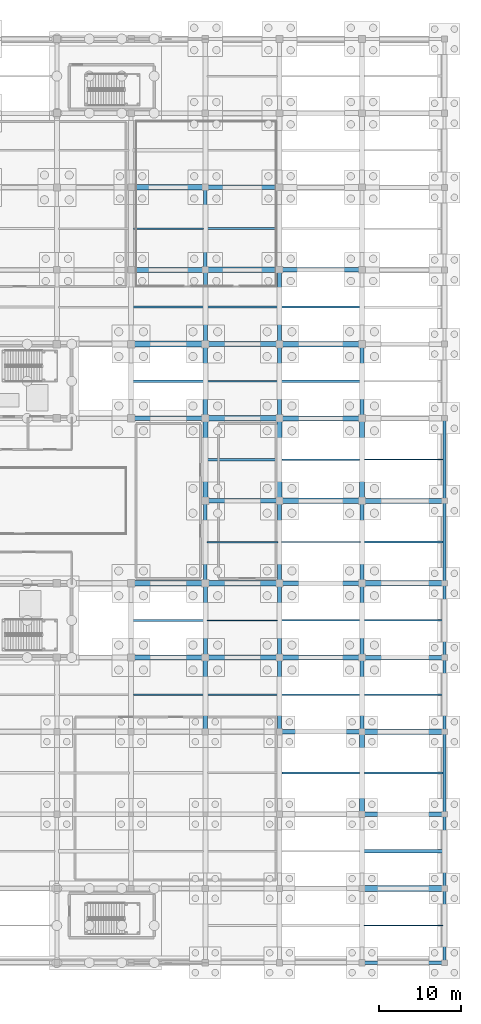
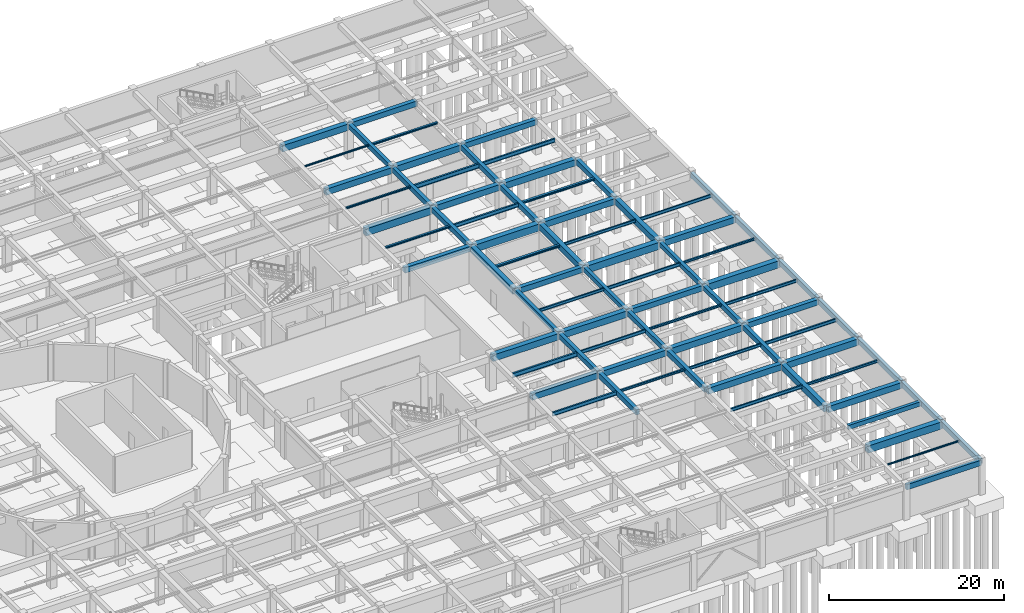
# One storey, part 33 of 62: 79 beams.
"""IFC4 building model written with IfcOpenShell, lengths in metres."""

import ifcopenshell
import ifcopenshell.guid

model = None  # the IFC model being written
_history = None  # IfcOwnerHistory: only IFC2X3 demands one
_inside = {}  # id of a spatial element -> (the spatial element, [elements in it])
_under = {}  # id of a project, library or spatial element -> (it, [spatial elements below it])
_declared = {}  # id of a project -> (the project, [libraries it declares])
_typed = {}  # id of a type object -> (the type object, [elements of that type])
_made_of = {}  # id of a material, layer set ... -> (it, [elements and type objects made of it])


def new_model(schema):
    """Start an empty IFC model of exactly this schema.

    Asked for "IFC4X3", IfcOpenShell would pick the latest addendum, in which some entities
    have other attributes; the version numbers below select the first issue.
    IFC2X3 requires an IfcOwnerHistory on every rooted entity: one is made here for all.
    """
    global model, _history
    if schema == "IFC4X3":
        model = ifcopenshell.file(schema_version=(4, 3, 0, 0))
    else:
        model = ifcopenshell.file(schema=schema)
    _inside.clear()
    _under.clear()
    _declared.clear()
    _typed.clear()
    _made_of.clear()
    _history = None
    if model.schema == "IFC2X3":
        org = make("IfcOrganization", Name="unknown")
        user = make(
            "IfcPersonAndOrganization",
            ThePerson=make("IfcPerson", FamilyName="unknown"),
            TheOrganization=org,
        )
        app = make(
            "IfcApplication",
            ApplicationDeveloper=org,
            Version="unknown",
            ApplicationFullName="unknown",
            ApplicationIdentifier="unknown",
        )
        _history = make(
            "IfcOwnerHistory",
            OwningUser=user,
            OwningApplication=app,
            ChangeAction="ADDED",
            CreationDate=0,
        )
    return model


def make(cls, **values):
    """One entity of the class cls with the attributes given. An attribute that is None is left unset."""
    return model.create_entity(
        cls, **{name: value for name, value in values.items() if value is not None}
    )


def rooted(cls, **values):
    """An entity with a GlobalId (a new one), such as an element, a storey or a relation."""
    return make(cls, GlobalId=ifcopenshell.guid.new(), OwnerHistory=_history, **values)


def si_unit(unit_type, name, prefix=None):
    """IfcSIUnit, for example si_unit("LENGTHUNIT", "METRE", prefix="MILLI")."""
    return make("IfcSIUnit", UnitType=unit_type, Prefix=prefix, Name=name)


def assignment(units):
    """IfcUnitAssignment: the units of a project."""
    return None if units is None else make("IfcUnitAssignment", Units=units)


def point(xyz):
    """IfcCartesianPoint."""
    return None if xyz is None else make("IfcCartesianPoint", Coordinates=xyz)


def direction(xyz):
    """IfcDirection."""
    return None if xyz is None else make("IfcDirection", DirectionRatios=xyz)


def frame(location, z_axis=None, x_axis=None):
    """IfcAxis2Placement3D, a coordinate frame: its origin and axes. An axis left out is left unset."""
    return make(
        "IfcAxis2Placement3D",
        Location=point(location),
        Axis=direction(z_axis),
        RefDirection=direction(x_axis),
    )


def frame_2d(location, x_axis=None):
    """IfcAxis2Placement2D, a coordinate frame in the plane: its origin and x axis."""
    return make(
        "IfcAxis2Placement2D", Location=point(location), RefDirection=direction(x_axis)
    )


def origin():
    """The frame at (0, 0, 0) with its axes left unset."""
    return frame((0.0, 0.0, 0.0))


def origin_2d():
    """The frame at (0, 0) in the plane with its x axis left unset."""
    return frame_2d((0.0, 0.0))


def place(relative_to, where):
    """IfcLocalPlacement: puts the frame where relative to a parent placement (None: the world)."""
    return make(
        "IfcLocalPlacement", PlacementRelTo=relative_to, RelativePlacement=where
    )


def context(
    kind, dimensions, precision=None, world=None, true_north=None, identifier=None
):
    """IfcGeometricRepresentationContext, for example the 3D "Model" context."""
    return make(
        "IfcGeometricRepresentationContext",
        ContextIdentifier=identifier,
        ContextType=kind,
        CoordinateSpaceDimension=dimensions,
        Precision=precision,
        WorldCoordinateSystem=world,
        TrueNorth=true_north,
    )


def subcontext(parent, identifier, kind, view, scale=None):
    """IfcGeometricRepresentationSubContext, for example "Body" below "Model"."""
    return make(
        "IfcGeometricRepresentationSubContext",
        ContextIdentifier=identifier,
        ContextType=kind,
        ParentContext=parent,
        TargetScale=scale,
        TargetView=view,
    )


def project(units=None, contexts=None):
    """IfcProject with its units and contexts."""
    return rooted(
        "IfcProject",
        Name="project",
        RepresentationContexts=contexts,
        UnitsInContext=assignment(units),
    )


def spatial(cls, under=None, at=None, **own):
    """A site, building, storey or space (cls), placed at a placement, below another one or the project."""
    s = rooted(cls, ObjectPlacement=at, **own)
    if under is not None:
        _under.setdefault(under.id(), (under, []))[1].append(s)
    return s


def profile(cls, at=None, kind="AREA", **sizes):
    """A parametric profile (cls). Its sizes go by their IFC names, for example OverallWidth=200.0."""
    return make(cls, ProfileType=kind, Position=at, **sizes)


def rectangle(**sizes):
    """IfcRectangleProfileDef."""
    return profile("IfcRectangleProfileDef", **sizes)


def i_section(**sizes):
    """IfcIShapeProfileDef."""
    return profile("IfcIShapeProfileDef", **sizes)


def extrude(swept, where, along, depth):
    """IfcExtrudedAreaSolid: the profile swept, set in the frame where, extruded along a direction by depth."""
    return make(
        "IfcExtrudedAreaSolid",
        SweptArea=swept,
        Position=where,
        ExtrudedDirection=direction(along),
        Depth=depth,
    )


def shape(context_of_items, identifier, shape_type, items):
    """IfcShapeRepresentation: the items that make up one representation, for example the "Body"."""
    return make(
        "IfcShapeRepresentation",
        ContextOfItems=context_of_items,
        RepresentationIdentifier=identifier,
        RepresentationType=shape_type,
        Items=items,
    )


def material(Name=None, Category=None):
    """IfcMaterial."""
    return make("IfcMaterial", Name=Name, Category=Category)


def material_profile(
    of_material, cross_section, Name=None, Category=None, Priority=None
):
    """IfcMaterialProfile: a cross section and its material."""
    return make(
        "IfcMaterialProfile",
        Name=Name,
        Material=of_material,
        Profile=cross_section,
        Priority=Priority,
        Category=Category,
    )


def profile_set(profiles, Name=None, composite=None):
    """IfcMaterialProfileSet."""
    return make(
        "IfcMaterialProfileSet",
        Name=Name,
        MaterialProfiles=profiles,
        CompositeProfile=composite,
    )


def made_of(thing, what):
    """Note that an element or type object is made of a material, layer set ...; save() writes the relation."""
    if what is not None:
        _made_of.setdefault(what.id(), (what, []))[1].append(thing)
    return thing


def type_object(cls, material=None, **own):
    """A type object (cls), such as IfcWallType, which elements share."""
    return made_of(rooted(cls, **own), material)


def element(
    cls,
    number,
    at=None,
    inside=None,
    cuts=None,
    type_object=None,
    material=None,
    context=None,
    identifier="Body",
    shape_type=None,
    held_by="IfcProductDefinitionShape",
    body=None,
    shapes=None,
    **own,
):
    """One element of the class cls, such as IfcWall. Its Tag is "e" and its number.

    at: its placement. inside: the storey or other place that contains it. cuts: it is an
    opening in that element (IfcRelVoidsElement). A single representation is given by context,
    identifier, shape_type and body (its items); several are given by shapes. held_by: the class
    of the entity that holds the representations. save() writes the other relations.
    """
    e = rooted(cls, Tag="e%d" % number, ObjectPlacement=at, **own)
    if body is not None:
        shapes = [shape(context, identifier, shape_type, body)]
    if shapes is not None:
        e.Representation = make(held_by, Representations=shapes)
    if inside is not None:
        _inside.setdefault(inside.id(), (inside, []))[1].append(e)
    if cuts is not None:
        rooted(
            "IfcRelVoidsElement", RelatingBuildingElement=cuts, RelatedOpeningElement=e
        )
    if type_object is not None:
        _typed.setdefault(type_object.id(), (type_object, []))[1].append(e)
    return made_of(e, material)


def aggregate(whole, parts):
    """IfcRelAggregates: a whole, such as a stair, and the parts it consists of."""
    return rooted("IfcRelAggregates", RelatingObject=whole, RelatedObjects=parts)


def save(model, path):
    """Write the relations noted so far, then the file.

    IfcRelAggregates (storeys below a building ...), IfcRelContainedInSpatialStructure (elements
    in a storey), IfcRelDefinesByType, IfcRelAssociatesMaterial and IfcRelDeclares: one each for
    every whole, place, type object, material and project.
    """
    for whole, parts in _under.values():
        aggregate(whole, parts)
    for where, things in _inside.values():
        rooted(
            "IfcRelContainedInSpatialStructure",
            RelatedElements=things,
            RelatingStructure=where,
        )
    for kind, things in _typed.values():
        rooted("IfcRelDefinesByType", RelatedObjects=things, RelatingType=kind)
    for what, things in _made_of.values():
        rooted("IfcRelAssociatesMaterial", RelatedObjects=things, RelatingMaterial=what)
    for by, libraries in _declared.values():
        rooted("IfcRelDeclares", RelatingContext=by, RelatedDefinitions=libraries)
    model.write(path)


model = new_model("IFC4")

# Units and contexts
model_context = context("Model", 3, precision=1e-05, world=origin(), true_north=direction((0.0, 1.0)))
body_context = subcontext(model_context, "Body", "Model", "MODEL_VIEW")
ifc_project = project(units=[si_unit("LENGTHUNIT", "METRE"), si_unit("AREAUNIT", "SQUARE_METRE"), si_unit("VOLUMEUNIT", "CUBIC_METRE"), si_unit("PLANEANGLEUNIT", "RADIAN"), si_unit("MASSUNIT", "GRAM", prefix="KILO")], contexts=[model_context])

# Site, building, storey
site_placement = place(None, origin())
site = spatial("IfcSite", under=ifc_project, at=site_placement, CompositionType="ELEMENT")
building_placement = place(site_placement, origin())
building = spatial("IfcBuilding", under=site, at=building_placement, Name="Miravela Opera House", CompositionType="ELEMENT")
storey_placement = place(building_placement, frame((0.0, 0.0, -5.10009765625)))
storey = spatial("IfcBuildingStorey", under=building, at=storey_placement, Name="B01", CompositionType="ELEMENT", Elevation=-5.10009765625)

# Beams
ifc_material_1 = material(Name="Concrete C35/45", Category="concrete")
ifc_material_profile_1 = material_profile(ifc_material_1, rectangle(XDim=0.39990234375, YDim=0.60009765625, at=origin_2d()), Name="RC-BM-400X600")
ifc_profile_set_1 = profile_set([ifc_material_profile_1])
beam_type_1 = type_object("IfcBeamType", Name="STR-BM-RC400X600", PredefinedType="JOIST", material=ifc_profile_set_1)
beam_1_placement = place(storey_placement, frame((154.2099609375, 13.5, 4.47998046875), z_axis=(1.0, 0.0, 0.0), x_axis=(0.0, 1.0, 0.0)))
element("IfcBeam", 1, at=beam_1_placement, inside=storey, type_object=beam_type_1, Name="Secondary Floor Joist B01 18-19/B-C", PredefinedType="JOIST", context=body_context, shape_type="SweptSolid", body=[
    extrude(rectangle(XDim=0.39990234375, YDim=0.60009765625, at=origin_2d()), origin(), (0.0, 0.0, 1.0), 9.60498046875),
])
ifc_material_profile_2 = material_profile(ifc_material_1, rectangle(XDim=0.449951171875, YDim=0.64990234375, at=origin_2d()), Name="RC-BM-450X650")
ifc_profile_set_2 = profile_set([ifc_material_profile_2])
beam_type_2 = type_object("IfcBeamType", Name="STR-BM-RC450X650", PredefinedType="BEAM", material=ifc_profile_set_2)
for number, where, z_axis, x_axis, name in (
    (2, (135.0, 46.080078125, 4.455078125), (0.0, 1.0, 0.0), (-1.0, 0.0, 0.0), "Floor Girder B01 16/F-G"),
    (3, (135.0, 84.080078125, 4.505126953125), (0.0, 1.0, 0.0), (-1.0, 0.0, 0.0), "Floor Girder B01 16/J-K"),
    (4, (144.0, 46.080078125, 4.455078125), (0.0, 1.0, 0.0), (-1.0, 0.0, 0.0), "Floor Girder B01 17/F-G"),
    (5, (154.0, 46.080078125, 4.455078125), (0.0, 1.0, 0.0), (-1.0, 0.0, 0.0), "Floor Girder B01 18/F-G"),
):
    element("IfcBeam", number, at=place(storey_placement, frame(where, z_axis=z_axis, x_axis=x_axis)), inside=storey, type_object=beam_type_2, Name=name, PredefinedType="BEAM", context=body_context, shape_type="SweptSolid", body=[
        extrude(rectangle(XDim=0.449951171875, YDim=0.64990234375, at=origin_2d()), origin(), (0.0, 0.0, 1.0), 9.83984375),
    ])
ifc_material_profile_3 = material_profile(ifc_material_1, rectangle(XDim=0.47998046875, YDim=0.679931640625, at=origin_2d()), Name="RC-BM-480X680")
ifc_profile_set_3 = profile_set([ifc_material_profile_3])
beam_type_3 = type_object("IfcBeamType", Name="STR-BM-RC480X680", PredefinedType="BEAM", material=ifc_profile_set_3)
for number, where, z_axis, x_axis, name in (
    (6, (135.0, 37.080078125, 4.440185546875), (0.0, 1.0, 0.0), (-1.0, 0.0, 0.0), "Floor Girder B01 16/E-F"),
    (7, (135.0, 75.080078125, 4.47998046875), (0.0, 1.0, 0.0), (-1.0, 0.0, 0.0), "Floor Girder B01 16/I-J"),
    (8, (144.0, 37.080078125, 4.440185546875), (0.0, 1.0, 0.0), (-1.0, 0.0, 0.0), "Floor Girder B01 17/E-F"),
    (9, (144.0, 75.080078125, 4.47998046875), (0.0, 1.0, 0.0), (-1.0, 0.0, 0.0), "Floor Girder B01 17/I-J"),
    (10, (154.0, 37.080078125, 4.440185546875), (0.0, 1.0, 0.0), (-1.0, 0.0, 0.0), "Floor Girder B01 18/E-F"),
):
    element("IfcBeam", number, at=place(storey_placement, frame(where, z_axis=z_axis, x_axis=x_axis)), inside=storey, type_object=beam_type_3, Name=name, PredefinedType="BEAM", context=body_context, shape_type="SweptSolid", body=[
        extrude(rectangle(XDim=0.47998046875, YDim=0.679931640625, at=origin_2d()), origin(), (0.0, 0.0, 1.0), 8.83984375),
    ])
ifc_material_profile_4 = material_profile(ifc_material_1, rectangle(XDim=0.5, YDim=0.699951171875, at=origin_2d()), Name="RC-BM-500X700")
ifc_profile_set_4 = profile_set([ifc_material_profile_4])
beam_type_4 = type_object("IfcBeamType", Name="STR-BM-RC500X700", PredefinedType="BEAM", material=ifc_profile_set_4)
for number, where, z_axis, x_axis, name in (
    (11, (135.0, 28.080078125, 4.43017578125), (0.0, 1.0, 0.0), (-1.0, 0.0, 0.0), "Floor Girder B01 16/D-E"),
    (12, (135.0, 66.080078125, 4.43017578125), (0.0, 1.0, 0.0), (-1.0, 0.0, 0.0), "Floor Girder B01 16/H-I"),
    (13, (144.0, 28.080078125, 4.43017578125), (0.0, 1.0, 0.0), (-1.0, 0.0, 0.0), "Floor Girder B01 17/D-E"),
    (14, (144.0, 66.080078125, 4.43017578125), (0.0, 1.0, 0.0), (-1.0, 0.0, 0.0), "Floor Girder B01 17/H-I"),
    (15, (154.0, 28.080078125, 4.43017578125), (0.0, 1.0, 0.0), (-1.0, 0.0, 0.0), "Floor Girder B01 18/D-E"),
    (16, (154.0, 66.080078125, 4.43017578125), (0.0, 1.0, 0.0), (-1.0, 0.0, 0.0), "Floor Girder B01 18/H-I"),
):
    element("IfcBeam", number, at=place(storey_placement, frame(where, z_axis=z_axis, x_axis=x_axis)), inside=storey, type_object=beam_type_4, Name=name, PredefinedType="BEAM", context=body_context, shape_type="SweptSolid", body=[
        extrude(rectangle(XDim=0.5, YDim=0.699951171875, at=origin_2d()), origin(), (0.0, 0.0, 1.0), 8.83984375),
    ])
ifc_material_profile_5 = material_profile(ifc_material_1, rectangle(XDim=0.550048828125, YDim=0.75, at=origin_2d()), Name="RC-BM-550X750")
ifc_profile_set_5 = profile_set([ifc_material_profile_5])
beam_type_5 = type_object("IfcBeamType", Name="STR-BM-RC550X750", PredefinedType="BEAM", material=ifc_profile_set_5)
for number, where, z_axis, x_axis, name in (
    (17, (126.080078125, 66.0, 4.405029296875), (1.0, 0.0, 0.0), (0.0, 1.0, 0.0), "Floor Girder B01 15-16/H"),
    (18, (135.080078125, 56.0, 4.405029296875), (1.0, 0.0, 0.0), (0.0, 1.0, 0.0), "Floor Girder B01 16-17/G"),
    (19, (135.080078125, 94.0, 4.455078125), (1.0, 0.0, 0.0), (0.0, 1.0, 0.0), "Floor Girder B01 16-17/K"),
):
    element("IfcBeam", number, at=place(storey_placement, frame(where, z_axis=z_axis, x_axis=x_axis)), inside=storey, type_object=beam_type_5, Name=name, PredefinedType="BEAM", context=body_context, shape_type="SweptSolid", body=[
        extrude(rectangle(XDim=0.550048828125, YDim=0.75, at=origin_2d()), origin(), (0.0, 0.0, 1.0), 8.83984375),
    ])
for number, where, z_axis, x_axis, name in (
    (20, (144.080078125, 46.0, 4.405029296875), (1.0, 0.0, 0.0), (0.0, 1.0, 0.0), "Floor Girder B01 17-18/F"),
    (21, (144.080078125, 84.0, 4.445068359375), (1.0, 0.0, 0.0), (0.0, 1.0, 0.0), "Floor Girder B01 17-18/J"),
    (22, (154.080078125, 37.0, 4.405029296875), (1.0, 0.0, 0.0), (0.0, 1.0, 0.0), "Floor Girder B01 18-19/E"),
):
    element("IfcBeam", number, at=place(storey_placement, frame(where, z_axis=z_axis, x_axis=x_axis)), inside=storey, type_object=beam_type_5, Name=name, PredefinedType="BEAM", context=body_context, shape_type="SweptSolid", body=[
        extrude(rectangle(XDim=0.550048828125, YDim=0.75, at=origin_2d()), origin(), (0.0, 0.0, 1.0), 9.83984375),
    ])
ifc_material_2 = material(Name="Concrete C40/50", Category="concrete")
ifc_material_profile_6 = material_profile(ifc_material_2, rectangle(XDim=0.60009765625, YDim=0.85009765625, at=origin_2d()), Name="RC-BM-600X850")
ifc_profile_set_6 = profile_set([ifc_material_profile_6])
beam_type_6 = type_object("IfcBeamType", Name="STR-BM-RC600X850", PredefinedType="BEAM", material=ifc_profile_set_6)
for number, where, z_axis, x_axis, name in (
    (23, (126.080078125, 37.0, 4.35498046875), (1.0, 0.0, 0.0), (0.0, 1.0, 0.0), "Floor Girder B01 15-16/E"),
    (24, (126.080078125, 84.0, 4.39501953125), (1.0, 0.0, 0.0), (0.0, 1.0, 0.0), "Floor Girder B01 15-16/J"),
    (25, (135.080078125, 37.0, 4.35498046875), (1.0, 0.0, 0.0), (0.0, 1.0, 0.0), "Floor Girder B01 16-17/E"),
    (26, (135.080078125, 75.0, 4.35498046875), (1.0, 0.0, 0.0), (0.0, 1.0, 0.0), "Floor Girder B01 16-17/I"),
):
    element("IfcBeam", number, at=place(storey_placement, frame(where, z_axis=z_axis, x_axis=x_axis)), inside=storey, type_object=beam_type_6, Name=name, PredefinedType="BEAM", context=body_context, shape_type="SweptSolid", body=[
        extrude(rectangle(XDim=0.60009765625, YDim=0.85009765625, at=origin_2d()), origin(), (0.0, 0.0, 1.0), 8.83984375),
    ])
for number, where, z_axis, x_axis, name in (
    (27, (144.080078125, 28.0, 4.35498046875), (1.0, 0.0, 0.0), (0.0, 1.0, 0.0), "Floor Girder B01 17-18/D"),
    (28, (144.080078125, 66.0, 4.35498046875), (1.0, 0.0, 0.0), (0.0, 1.0, 0.0), "Floor Girder B01 17-18/H"),
    (29, (154.080078125, 18.0, 4.35498046875), (1.0, 0.0, 0.0), (0.0, 1.0, 0.0), "Floor Girder B01 18-19/C"),
    (30, (154.080078125, 56.0, 4.35498046875), (1.0, 0.0, 0.0), (0.0, 1.0, 0.0), "Floor Girder B01 18-19/G"),
    (31, (135.0, 56.080078125, 4.35498046875), (0.0, 1.0, 0.0), (-1.0, 0.0, 0.0), "Floor Girder B01 16/G-H"),
    (32, (144.0, 56.080078125, 4.35498046875), (0.0, 1.0, 0.0), (-1.0, 0.0, 0.0), "Floor Girder B01 17/G-H"),
    (33, (154.0, 18.080078125, 4.35498046875), (0.0, 1.0, 0.0), (-1.0, 0.0, 0.0), "Floor Girder B01 18/C-D"),
    (34, (154.0, 56.080078125, 4.35498046875), (0.0, 1.0, 0.0), (-1.0, 0.0, 0.0), "Floor Girder B01 18/G-H"),
):
    element("IfcBeam", number, at=place(storey_placement, frame(where, z_axis=z_axis, x_axis=x_axis)), inside=storey, type_object=beam_type_6, Name=name, PredefinedType="BEAM", context=body_context, shape_type="SweptSolid", body=[
        extrude(rectangle(XDim=0.60009765625, YDim=0.85009765625, at=origin_2d()), origin(), (0.0, 0.0, 1.0), 9.83984375),
    ])
ifc_material_profile_7 = material_profile(ifc_material_2, rectangle(XDim=0.64990234375, YDim=0.89990234375, at=origin_2d()), Name="RC-BM-650X900")
ifc_profile_set_7 = profile_set([ifc_material_profile_7])
beam_type_7 = type_object("IfcBeamType", Name="STR-BM-RC650X900", PredefinedType="BEAM", material=ifc_profile_set_7)
for number, where, z_axis, x_axis, name in (
    (35, (126.080078125, 46.0, 4.330078125), (1.0, 0.0, 0.0), (0.0, 1.0, 0.0), "Floor Girder B01 15-16/F"),
    (36, (126.080078125, 94.0, 4.380126953125), (1.0, 0.0, 0.0), (0.0, 1.0, 0.0), "Floor Girder B01 15-16/K"),
    (37, (135.080078125, 46.0, 4.330078125), (1.0, 0.0, 0.0), (0.0, 1.0, 0.0), "Floor Girder B01 16-17/F"),
    (38, (135.080078125, 84.0, 4.3701171875), (1.0, 0.0, 0.0), (0.0, 1.0, 0.0), "Floor Girder B01 16-17/J"),
):
    element("IfcBeam", number, at=place(storey_placement, frame(where, z_axis=z_axis, x_axis=x_axis)), inside=storey, type_object=beam_type_7, Name=name, PredefinedType="BEAM", context=body_context, shape_type="SweptSolid", body=[
        extrude(rectangle(XDim=0.64990234375, YDim=0.89990234375, at=origin_2d()), origin(), (0.0, 0.0, 1.0), 8.83984375),
    ])
for number, where, z_axis, x_axis, name in (
    (39, (144.080078125, 37.0, 4.330078125), (1.0, 0.0, 0.0), (0.0, 1.0, 0.0), "Floor Girder B01 17-18/E"),
    (40, (144.080078125, 75.0, 4.330078125), (1.0, 0.0, 0.0), (0.0, 1.0, 0.0), "Floor Girder B01 17-18/I"),
    (41, (154.080078125, 28.0, 4.330078125), (1.0, 0.0, 0.0), (0.0, 1.0, 0.0), "Floor Girder B01 18-19/D"),
):
    element("IfcBeam", number, at=place(storey_placement, frame(where, z_axis=z_axis, x_axis=x_axis)), inside=storey, type_object=beam_type_7, Name=name, PredefinedType="BEAM", context=body_context, shape_type="SweptSolid", body=[
        extrude(rectangle(XDim=0.64990234375, YDim=0.89990234375, at=origin_2d()), origin(), (0.0, 0.0, 1.0), 9.83984375),
    ])
ifc_material_profile_8 = material_profile(ifc_material_2, rectangle(XDim=0.699951171875, YDim=1.0, at=origin_2d()), Name="RC-BM-700X1000")
ifc_profile_set_8 = profile_set([ifc_material_profile_8])
beam_type_8 = type_object("IfcBeamType", Name="STR-BM-RC700X1000", PredefinedType="BEAM", material=ifc_profile_set_8)
for number, where, z_axis, x_axis, name in (
    (42, (126.080078125, 75.0, 4.280029296875), (1.0, 0.0, 0.0), (0.0, 1.0, 0.0), "Floor Girder B01 15-16/I"),
    (43, (135.080078125, 66.0, 4.280029296875), (1.0, 0.0, 0.0), (0.0, 1.0, 0.0), "Floor Girder B01 16-17/H"),
):
    element("IfcBeam", number, at=place(storey_placement, frame(where, z_axis=z_axis, x_axis=x_axis)), inside=storey, type_object=beam_type_8, Name=name, PredefinedType="BEAM", context=body_context, shape_type="SweptSolid", body=[
        extrude(rectangle(XDim=0.699951171875, YDim=1.0, at=origin_2d()), origin(), (0.0, 0.0, 1.0), 8.83984375),
    ])
for number, where, z_axis, x_axis, name in (
    (44, (144.080078125, 56.0, 4.280029296875), (1.0, 0.0, 0.0), (0.0, 1.0, 0.0), "Floor Girder B01 17-18/G"),
    (45, (154.080078125, 9.0, 4.280029296875), (1.0, 0.0, 0.0), (0.0, 1.0, 0.0), "Floor Girder B01 18-19/B"),
    (46, (154.080078125, 46.0, 4.280029296875), (1.0, 0.0, 0.0), (0.0, 1.0, 0.0), "Floor Girder B01 18-19/F"),
):
    element("IfcBeam", number, at=place(storey_placement, frame(where, z_axis=z_axis, x_axis=x_axis)), inside=storey, type_object=beam_type_8, Name=name, PredefinedType="BEAM", context=body_context, shape_type="SweptSolid", body=[
        extrude(rectangle(XDim=0.699951171875, YDim=1.0, at=origin_2d()), origin(), (0.0, 0.0, 1.0), 9.83984375),
    ])
ifc_material_3 = material(Name="Structural steel ASTM A992 Gr. 50", Category="steel")
ifc_material_profile_9 = material_profile(ifc_material_3, i_section(OverallWidth=0.1650390625, OverallDepth=0.200927734375, WebThickness=0.006103515625, FlangeThickness=0.01025390625, FilletRadius=0.010009765625, at=origin_2d()), Name="W200X36")
ifc_profile_set_9 = profile_set([ifc_material_profile_9])
beam_type_9 = type_object("IfcBeamType", Name="STR-BM-W200X36", PredefinedType="LINTEL", material=ifc_profile_set_9)
beam_2_placement = place(storey_placement, frame((126.284912109375, 89.0, 4.7294921875), z_axis=(1.0, 0.0, 0.0), x_axis=(0.0, 1.0, 0.0)))
element("IfcBeam", 47, at=beam_2_placement, inside=storey, type_object=beam_type_9, Name="Secondary Floor Joist B01 15-16/J-K", PredefinedType="LINTEL", context=body_context, shape_type="SweptSolid", body=[
    extrude(i_section(OverallWidth=0.1650390625, OverallDepth=0.200927734375, WebThickness=0.006103515625, FlangeThickness=0.01025390625, FilletRadius=0.010009765625, at=origin_2d()), origin(), (0.0, 0.0, 1.0), 8.505126953125),
])
beam_3_placement = place(storey_placement, frame((154.22509765625, 4.5, 4.6796875), z_axis=(1.0, 0.0, 0.0), x_axis=(0.0, 1.0, 0.0)))
element("IfcBeam", 48, at=beam_3_placement, inside=storey, type_object=beam_type_9, Name="Secondary Floor Joist B01 18-19/A-B", PredefinedType="LINTEL", context=body_context, shape_type="SweptSolid", body=[
    extrude(i_section(OverallWidth=0.1650390625, OverallDepth=0.200927734375, WebThickness=0.006103515625, FlangeThickness=0.01025390625, FilletRadius=0.010009765625, at=origin_2d()), origin(), (0.0, 0.0, 1.0), 9.58984375),
])
ifc_material_profile_10 = material_profile(ifc_material_3, i_section(OverallWidth=0.201904296875, OverallDepth=0.2470703125, WebThickness=0.00732421875, FlangeThickness=0.010986328125, FilletRadius=0.011962890625, at=origin_2d()), Name="W250X49")
ifc_profile_set_10 = profile_set([ifc_material_profile_10])
beam_type_10 = type_object("IfcBeamType", Name="STR-BM-W250X49", PredefinedType="LINTEL", material=ifc_profile_set_10)
beam_4_placement = place(storey_placement, frame((126.2099609375, 79.5, 4.696533203125), z_axis=(1.0, 0.0, 0.0), x_axis=(0.0, 1.0, 0.0)))
element("IfcBeam", 49, at=beam_4_placement, inside=storey, type_object=beam_type_10, Name="Secondary Floor Joist B01 15-16/I-J", PredefinedType="LINTEL", context=body_context, shape_type="SweptSolid", body=[
    extrude(i_section(OverallWidth=0.201904296875, OverallDepth=0.2470703125, WebThickness=0.00732421875, FlangeThickness=0.010986328125, FilletRadius=0.011962890625, at=origin_2d()), origin(), (0.0, 0.0, 1.0), 8.56494140625),
])
ifc_material_profile_11 = material_profile(ifc_material_3, i_section(OverallWidth=0.25390625, OverallDepth=0.2529296875, WebThickness=0.008544921875, FlangeThickness=0.01416015625, FilletRadius=0.011962890625, at=origin_2d()), Name="W250X73")
ifc_profile_set_11 = profile_set([ifc_material_profile_11])
beam_type_11 = type_object("IfcBeamType", Name="STR-BM-W250X73", PredefinedType="JOIST", material=ifc_profile_set_11)
beam_5_placement = place(storey_placement, frame((126.22509765625, 70.5, 4.653564453125), z_axis=(1.0, 0.0, 0.0), x_axis=(0.0, 1.0, 0.0)))
element("IfcBeam", 50, at=beam_5_placement, inside=storey, type_object=beam_type_11, Name="Secondary Floor Joist B01 15-16/H-I", PredefinedType="JOIST", context=body_context, shape_type="SweptSolid", body=[
    extrude(i_section(OverallWidth=0.25390625, OverallDepth=0.2529296875, WebThickness=0.008544921875, FlangeThickness=0.01416015625, FilletRadius=0.011962890625, at=origin_2d()), origin(), (0.0, 0.0, 1.0), 8.539794921875),
])
beam_6_placement = place(storey_placement, frame((135.2099609375, 89.0, 4.70361328125), z_axis=(1.0, 0.0, 0.0), x_axis=(0.0, 1.0, 0.0)))
element("IfcBeam", 51, at=beam_6_placement, inside=storey, type_object=beam_type_11, Name="Secondary Floor Joist B01 16-17/J-K", PredefinedType="JOIST", context=body_context, shape_type="SweptSolid", body=[
    extrude(i_section(OverallWidth=0.25390625, OverallDepth=0.2529296875, WebThickness=0.008544921875, FlangeThickness=0.01416015625, FilletRadius=0.011962890625, at=origin_2d()), origin(), (0.0, 0.0, 1.0), 8.580078125),
])
ifc_material_profile_12 = material_profile(ifc_material_3, i_section(OverallWidth=0.202880859375, OverallDepth=0.302978515625, WebThickness=0.007568359375, FlangeThickness=0.01318359375, FilletRadius=0.012939453125, at=origin_2d()), Name="W310X60")
ifc_profile_set_12 = profile_set([ifc_material_profile_12])
beam_type_12 = type_object("IfcBeamType", Name="STR-BM-W310X60", PredefinedType="JOIST", material=ifc_profile_set_12)
beam_7_placement = place(storey_placement, frame((135.235107421875, 32.5, 4.628662109375), z_axis=(1.0, 0.0, 0.0), x_axis=(0.0, 1.0, 0.0)))
element("IfcBeam", 52, at=beam_7_placement, inside=storey, type_object=beam_type_12, Name="Secondary Floor Joist B01 16-17/D-E", PredefinedType="JOIST", context=body_context, shape_type="SweptSolid", body=[
    extrude(i_section(OverallWidth=0.202880859375, OverallDepth=0.302978515625, WebThickness=0.007568359375, FlangeThickness=0.01318359375, FilletRadius=0.012939453125, at=origin_2d()), origin(), (0.0, 0.0, 1.0), 8.52978515625),
])
beam_8_placement = place(storey_placement, frame((144.22509765625, 41.5, 4.628662109375), z_axis=(1.0, 0.0, 0.0), x_axis=(0.0, 1.0, 0.0)))
element("IfcBeam", 53, at=beam_8_placement, inside=storey, type_object=beam_type_12, Name="Secondary Floor Joist B01 17-18/E-F", PredefinedType="JOIST", context=body_context, shape_type="SweptSolid", body=[
    extrude(i_section(OverallWidth=0.202880859375, OverallDepth=0.302978515625, WebThickness=0.007568359375, FlangeThickness=0.01318359375, FilletRadius=0.012939453125, at=origin_2d()), origin(), (0.0, 0.0, 1.0), 9.5498046875),
])
beam_9_placement = place(storey_placement, frame((154.2099609375, 51.0, 4.628662109375), z_axis=(1.0, 0.0, 0.0), x_axis=(0.0, 1.0, 0.0)))
element("IfcBeam", 54, at=beam_9_placement, inside=storey, type_object=beam_type_12, Name="Secondary Floor Joist B01 18-19/F-G", PredefinedType="JOIST", context=body_context, shape_type="SweptSolid", body=[
    extrude(i_section(OverallWidth=0.202880859375, OverallDepth=0.302978515625, WebThickness=0.007568359375, FlangeThickness=0.01318359375, FilletRadius=0.012939453125, at=origin_2d()), origin(), (0.0, 0.0, 1.0), 9.60498046875),
])
ifc_material_profile_13 = material_profile(ifc_material_3, i_section(OverallWidth=0.304931640625, OverallDepth=0.30810546875, WebThickness=0.010009765625, FlangeThickness=0.015380859375, FilletRadius=0.013916015625, at=origin_2d()), Name="W310X97")
ifc_profile_set_13 = profile_set([ifc_material_profile_13])
beam_type_13 = type_object("IfcBeamType", Name="STR-BM-W310X97", PredefinedType="JOIST", material=ifc_profile_set_13)
beam_10_placement = place(storey_placement, frame((135.284912109375, 61.0, 4.6259765625), z_axis=(1.0, 0.0, 0.0), x_axis=(0.0, 1.0, 0.0)))
element("IfcBeam", 55, at=beam_10_placement, inside=storey, type_object=beam_type_13, Name="Secondary Floor Joist B01 16-17/G-H", PredefinedType="JOIST", context=body_context, shape_type="SweptSolid", body=[
    extrude(i_section(OverallWidth=0.304931640625, OverallDepth=0.30810546875, WebThickness=0.010009765625, FlangeThickness=0.015380859375, FilletRadius=0.013916015625, at=origin_2d()), origin(), (0.0, 0.0, 1.0), 8.43017578125),
])
beam_11_placement = place(storey_placement, frame((144.235107421875, 70.5, 4.6259765625), z_axis=(1.0, 0.0, 0.0), x_axis=(0.0, 1.0, 0.0)))
element("IfcBeam", 56, at=beam_11_placement, inside=storey, type_object=beam_type_13, Name="Secondary Floor Joist B01 17-18/H-I", PredefinedType="JOIST", context=body_context, shape_type="SweptSolid", body=[
    extrude(i_section(OverallWidth=0.304931640625, OverallDepth=0.30810546875, WebThickness=0.010009765625, FlangeThickness=0.015380859375, FilletRadius=0.013916015625, at=origin_2d()), origin(), (0.0, 0.0, 1.0), 9.52978515625),
])
ifc_material_profile_14 = material_profile(ifc_material_3, i_section(OverallWidth=0.2041015625, OverallDepth=0.35009765625, WebThickness=0.008544921875, FlangeThickness=0.01513671875, FilletRadius=0.013916015625, at=origin_2d()), Name="W360X72")
ifc_profile_set_14 = profile_set([ifc_material_profile_14])
beam_type_14 = type_object("IfcBeamType", Name="STR-BM-W360X72", PredefinedType="JOIST", material=ifc_profile_set_14)
beam_12_placement = place(storey_placement, frame((154.284912109375, 23.0, 4.60498046875), z_axis=(1.0, 0.0, 0.0), x_axis=(0.0, 1.0, 0.0)))
element("IfcBeam", 57, at=beam_12_placement, inside=storey, type_object=beam_type_14, Name="Secondary Floor Joist B01 18-19/C-D", PredefinedType="JOIST", context=body_context, shape_type="SweptSolid", body=[
    extrude(i_section(OverallWidth=0.2041015625, OverallDepth=0.35009765625, WebThickness=0.008544921875, FlangeThickness=0.01513671875, FilletRadius=0.013916015625, at=origin_2d()), origin(), (0.0, 0.0, 1.0), 9.530029296875),
])
ifc_material_profile_15 = material_profile(ifc_material_3, i_section(OverallWidth=0.177978515625, OverallDepth=0.406982421875, WebThickness=0.0078125, FlangeThickness=0.0126953125, FilletRadius=0.012939453125, at=origin_2d()), Name="W410X60")
ifc_profile_set_15 = profile_set([ifc_material_profile_15])
beam_type_15 = type_object("IfcBeamType", Name="STR-BM-W410X60", PredefinedType="JOIST", material=ifc_profile_set_15)
beam_13_placement = place(storey_placement, frame((135.2099609375, 51.0, 4.57666015625), z_axis=(1.0, 0.0, 0.0), x_axis=(0.0, 1.0, 0.0)))
element("IfcBeam", 58, at=beam_13_placement, inside=storey, type_object=beam_type_15, Name="Secondary Floor Joist B01 16-17/F-G", PredefinedType="JOIST", context=body_context, shape_type="SweptSolid", body=[
    extrude(i_section(OverallWidth=0.177978515625, OverallDepth=0.406982421875, WebThickness=0.0078125, FlangeThickness=0.0126953125, FilletRadius=0.012939453125, at=origin_2d()), origin(), (0.0, 0.0, 1.0), 8.580078125),
])
beam_14_placement = place(storey_placement, frame((144.284912109375, 61.0, 4.57666015625), z_axis=(1.0, 0.0, 0.0), x_axis=(0.0, 1.0, 0.0)))
element("IfcBeam", 59, at=beam_14_placement, inside=storey, type_object=beam_type_15, Name="Secondary Floor Joist B01 17-18/G-H", PredefinedType="JOIST", context=body_context, shape_type="SweptSolid", body=[
    extrude(i_section(OverallWidth=0.177978515625, OverallDepth=0.406982421875, WebThickness=0.0078125, FlangeThickness=0.0126953125, FilletRadius=0.012939453125, at=origin_2d()), origin(), (0.0, 0.0, 1.0), 9.43017578125),
])
ifc_material_profile_16 = material_profile(ifc_material_3, i_section(OverallWidth=0.180908203125, OverallDepth=0.4169921875, WebThickness=0.010986328125, FlangeThickness=0.018310546875, FilletRadius=0.013916015625, at=origin_2d()), Name="W410X85")
ifc_profile_set_16 = profile_set([ifc_material_profile_16])
beam_type_16 = type_object("IfcBeamType", Name="STR-BM-W410X85", PredefinedType="JOIST", material=ifc_profile_set_16)
beam_15_placement = place(storey_placement, frame((144.235107421875, 32.5, 4.571533203125), z_axis=(1.0, 0.0, 0.0), x_axis=(0.0, 1.0, 0.0)))
element("IfcBeam", 60, at=beam_15_placement, inside=storey, type_object=beam_type_16, Name="Secondary Floor Joist B01 17-18/D-E", PredefinedType="JOIST", context=body_context, shape_type="SweptSolid", body=[
    extrude(i_section(OverallWidth=0.180908203125, OverallDepth=0.4169921875, WebThickness=0.010986328125, FlangeThickness=0.018310546875, FilletRadius=0.013916015625, at=origin_2d()), origin(), (0.0, 0.0, 1.0), 9.52978515625),
])
beam_16_placement = place(storey_placement, frame((154.22509765625, 41.5, 4.571533203125), z_axis=(1.0, 0.0, 0.0), x_axis=(0.0, 1.0, 0.0)))
element("IfcBeam", 61, at=beam_16_placement, inside=storey, type_object=beam_type_16, Name="Secondary Floor Joist B01 18-19/E-F", PredefinedType="JOIST", context=body_context, shape_type="SweptSolid", body=[
    extrude(i_section(OverallWidth=0.180908203125, OverallDepth=0.4169921875, WebThickness=0.010986328125, FlangeThickness=0.018310546875, FilletRadius=0.013916015625, at=origin_2d()), origin(), (0.0, 0.0, 1.0), 9.58984375),
])
ifc_material_profile_17 = material_profile(ifc_material_3, i_section(OverallWidth=0.154052734375, OverallDepth=0.458984375, WebThickness=0.009033203125, FlangeThickness=0.015380859375, FilletRadius=0.013916015625, at=origin_2d()), Name="W460X68")
ifc_profile_set_17 = profile_set([ifc_material_profile_17])
beam_type_17 = type_object("IfcBeamType", Name="STR-BM-W460X68", PredefinedType="JOIST", material=ifc_profile_set_17)
beam_17_placement = place(storey_placement, frame((135.22509765625, 41.5, 4.550537109375), z_axis=(1.0, 0.0, 0.0), x_axis=(0.0, 1.0, 0.0)))
element("IfcBeam", 62, at=beam_17_placement, inside=storey, type_object=beam_type_17, Name="Secondary Floor Joist B01 16-17/E-F", PredefinedType="JOIST", context=body_context, shape_type="SweptSolid", body=[
    extrude(i_section(OverallWidth=0.154052734375, OverallDepth=0.458984375, WebThickness=0.009033203125, FlangeThickness=0.015380859375, FilletRadius=0.013916015625, at=origin_2d()), origin(), (0.0, 0.0, 1.0), 8.5498046875),
])
beam_18_placement = place(storey_placement, frame((144.2099609375, 51.0, 4.550537109375), z_axis=(1.0, 0.0, 0.0), x_axis=(0.0, 1.0, 0.0)))
element("IfcBeam", 63, at=beam_18_placement, inside=storey, type_object=beam_type_17, Name="Secondary Floor Joist B01 17-18/F-G", PredefinedType="JOIST", context=body_context, shape_type="SweptSolid", body=[
    extrude(i_section(OverallWidth=0.154052734375, OverallDepth=0.458984375, WebThickness=0.009033203125, FlangeThickness=0.015380859375, FilletRadius=0.013916015625, at=origin_2d()), origin(), (0.0, 0.0, 1.0), 9.580078125),
])
beam_19_placement = place(storey_placement, frame((154.284912109375, 61.0, 4.550537109375), z_axis=(1.0, 0.0, 0.0), x_axis=(0.0, 1.0, 0.0)))
element("IfcBeam", 64, at=beam_19_placement, inside=storey, type_object=beam_type_17, Name="Secondary Floor Joist B01 18-19/G-H", PredefinedType="JOIST", context=body_context, shape_type="SweptSolid", body=[
    extrude(i_section(OverallWidth=0.154052734375, OverallDepth=0.458984375, WebThickness=0.009033203125, FlangeThickness=0.015380859375, FilletRadius=0.013916015625, at=origin_2d()), origin(), (0.0, 0.0, 1.0), 9.530029296875),
])
ifc_material_profile_18 = material_profile(ifc_material_3, i_section(OverallWidth=0.19091796875, OverallDepth=0.4599609375, WebThickness=0.010009765625, FlangeThickness=0.01611328125, FilletRadius=0.014892578125, at=origin_2d()), Name="W460X82")
ifc_profile_set_18 = profile_set([ifc_material_profile_18])
beam_type_18 = type_object("IfcBeamType", Name="STR-BM-W460X82", PredefinedType="JOIST", material=ifc_profile_set_18)
beam_20_placement = place(storey_placement, frame((144.284912109375, 23.0, 4.550048828125), z_axis=(1.0, 0.0, 0.0), x_axis=(0.0, 1.0, 0.0)))
element("IfcBeam", 65, at=beam_20_placement, inside=storey, type_object=beam_type_18, Name="Secondary Floor Joist B01 17-18/C-D", PredefinedType="JOIST", context=body_context, shape_type="SweptSolid", body=[
    extrude(i_section(OverallWidth=0.19091796875, OverallDepth=0.4599609375, WebThickness=0.010009765625, FlangeThickness=0.01611328125, FilletRadius=0.014892578125, at=origin_2d()), origin(), (0.0, 0.0, 1.0), 9.43017578125),
])
beam_21_placement = place(storey_placement, frame((154.235107421875, 32.5, 4.550048828125), z_axis=(1.0, 0.0, 0.0), x_axis=(0.0, 1.0, 0.0)))
element("IfcBeam", 66, at=beam_21_placement, inside=storey, type_object=beam_type_18, Name="Secondary Floor Joist B01 18-19/D-E", PredefinedType="JOIST", context=body_context, shape_type="SweptSolid", body=[
    extrude(i_section(OverallWidth=0.19091796875, OverallDepth=0.4599609375, WebThickness=0.010009765625, FlangeThickness=0.01611328125, FilletRadius=0.014892578125, at=origin_2d()), origin(), (0.0, 0.0, 1.0), 9.579833984375),
])
ifc_material_profile_19 = material_profile(ifc_material_3, i_section(OverallWidth=0.208984375, OverallDepth=0.532958984375, WebThickness=0.01025390625, FlangeThickness=0.015625, FilletRadius=0.014892578125, at=origin_2d()), Name="W530X92")
ifc_profile_set_19 = profile_set([ifc_material_profile_19])
beam_type_19 = type_object("IfcBeamType", Name="STR-BM-W530X92", PredefinedType="BEAM", material=ifc_profile_set_19)
beam_22_placement = place(storey_placement, frame((126.284912109375, 32.5, 4.513671875), z_axis=(1.0, 0.0, 0.0), x_axis=(0.0, 1.0, 0.0)))
element("IfcBeam", 67, at=beam_22_placement, inside=storey, type_object=beam_type_19, Name="Secondary Floor Joist B01 15-16/D-E", PredefinedType="BEAM", context=body_context, shape_type="SweptSolid", body=[
    extrude(i_section(OverallWidth=0.208984375, OverallDepth=0.532958984375, WebThickness=0.01025390625, FlangeThickness=0.015625, FilletRadius=0.014892578125, at=origin_2d()), origin(), (0.0, 0.0, 1.0), 8.47998046875),
])
beam_23_placement = place(storey_placement, frame((135.235107421875, 70.5, 4.513671875), z_axis=(1.0, 0.0, 0.0), x_axis=(0.0, 1.0, 0.0)))
element("IfcBeam", 68, at=beam_23_placement, inside=storey, type_object=beam_type_19, Name="Secondary Floor Joist B01 16-17/H-I", PredefinedType="BEAM", context=body_context, shape_type="SweptSolid", body=[
    extrude(i_section(OverallWidth=0.208984375, OverallDepth=0.532958984375, WebThickness=0.01025390625, FlangeThickness=0.015625, FilletRadius=0.014892578125, at=origin_2d()), origin(), (0.0, 0.0, 1.0), 8.52978515625),
])
beam_24_placement = place(storey_placement, frame((144.22509765625, 79.5, 4.5537109375), z_axis=(1.0, 0.0, 0.0), x_axis=(0.0, 1.0, 0.0)))
element("IfcBeam", 69, at=beam_24_placement, inside=storey, type_object=beam_type_19, Name="Secondary Floor Joist B01 17-18/I-J", PredefinedType="BEAM", context=body_context, shape_type="SweptSolid", body=[
    extrude(i_section(OverallWidth=0.208984375, OverallDepth=0.532958984375, WebThickness=0.01025390625, FlangeThickness=0.015625, FilletRadius=0.014892578125, at=origin_2d()), origin(), (0.0, 0.0, 1.0), 9.5498046875),
])
ifc_material_profile_20 = material_profile(ifc_material_3, i_section(OverallWidth=0.22802734375, OverallDepth=0.60791015625, WebThickness=0.01123046875, FlangeThickness=0.017333984375, FilletRadius=0.01611328125, at=origin_2d()), Name="W610X113")
ifc_profile_set_20 = profile_set([ifc_material_profile_20])
beam_type_20 = type_object("IfcBeamType", Name="STR-BM-W610X113", PredefinedType="BEAM", material=ifc_profile_set_20)
beam_25_placement = place(storey_placement, frame((126.235107421875, 41.5, 4.47607421875), z_axis=(1.0, 0.0, 0.0), x_axis=(0.0, 1.0, 0.0)))
element("IfcBeam", 70, at=beam_25_placement, inside=storey, type_object=beam_type_20, Name="Secondary Floor Joist B01 15-16/E-F", PredefinedType="BEAM", context=body_context, shape_type="SweptSolid", body=[
    extrude(i_section(OverallWidth=0.22802734375, OverallDepth=0.60791015625, WebThickness=0.01123046875, FlangeThickness=0.017333984375, FilletRadius=0.01611328125, at=origin_2d()), origin(), (0.0, 0.0, 1.0), 8.539794921875),
])
beam_26_placement = place(storey_placement, frame((135.22509765625, 79.5, 4.51611328125), z_axis=(1.0, 0.0, 0.0), x_axis=(0.0, 1.0, 0.0)))
element("IfcBeam", 71, at=beam_26_placement, inside=storey, type_object=beam_type_20, Name="Secondary Floor Joist B01 16-17/I-J", PredefinedType="BEAM", context=body_context, shape_type="SweptSolid", body=[
    extrude(i_section(OverallWidth=0.22802734375, OverallDepth=0.60791015625, WebThickness=0.01123046875, FlangeThickness=0.017333984375, FilletRadius=0.01611328125, at=origin_2d()), origin(), (0.0, 0.0, 1.0), 8.5498046875),
])
ifc_material_profile_21 = material_profile(ifc_material_1, rectangle(XDim=0.39990234375, YDim=0.75, at=origin_2d()), Name="RC-SPN-400X750")
ifc_profile_set_21 = profile_set([ifc_material_profile_21])
beam_type_21 = type_object("IfcBeamType", Name="STR-SPN-RC400X750", PredefinedType="SPANDREL", material=ifc_profile_set_21)
beam_27_placement = place(storey_placement, frame((154.080078125, 0.0, 4.405029296875), z_axis=(1.0, 0.0, 0.0), x_axis=(0.0, 1.0, 0.0)))
element("IfcBeam", 72, at=beam_27_placement, inside=storey, type_object=beam_type_21, Name="Floor Girder B01 18-19/A", PredefinedType="SPANDREL", context=body_context, shape_type="SweptSolid", body=[
    extrude(rectangle(XDim=0.39990234375, YDim=0.75, at=origin_2d()), origin(), (0.0, 0.0, 1.0), 9.83984375),
])
for number, where, z_axis, x_axis, name in (
    (73, (164.0, 0.080078125, 4.405029296875), (0.0, 1.0, 0.0), (-1.0, 0.0, 0.0), "Floor Girder B01 19/A-B"),
    (74, (164.0, 9.080078125, 4.405029296875), (0.0, 1.0, 0.0), (-1.0, 0.0, 0.0), "Floor Girder B01 19/B-C"),
):
    element("IfcBeam", number, at=place(storey_placement, frame(where, z_axis=z_axis, x_axis=x_axis)), inside=storey, type_object=beam_type_21, Name=name, PredefinedType="SPANDREL", context=body_context, shape_type="SweptSolid", body=[
        extrude(rectangle(XDim=0.39990234375, YDim=0.75, at=origin_2d()), origin(), (0.0, 0.0, 1.0), 8.83984375),
    ])
beam_28_placement = place(storey_placement, frame((164.0, 18.080078125, 4.405029296875), z_axis=(0.0, 1.0, 0.0), x_axis=(-1.0, 0.0, 0.0)))
element("IfcBeam", 75, at=beam_28_placement, inside=storey, type_object=beam_type_21, Name="Floor Girder B01 19/C-D", PredefinedType="SPANDREL", context=body_context, shape_type="SweptSolid", body=[
    extrude(rectangle(XDim=0.39990234375, YDim=0.75, at=origin_2d()), origin(), (0.0, 0.0, 1.0), 9.83984375),
])
for number, where, z_axis, x_axis, name in (
    (76, (164.0, 28.080078125, 4.405029296875), (0.0, 1.0, 0.0), (-1.0, 0.0, 0.0), "Floor Girder B01 19/D-E"),
    (77, (164.0, 37.080078125, 4.405029296875), (0.0, 1.0, 0.0), (-1.0, 0.0, 0.0), "Floor Girder B01 19/E-F"),
):
    element("IfcBeam", number, at=place(storey_placement, frame(where, z_axis=z_axis, x_axis=x_axis)), inside=storey, type_object=beam_type_21, Name=name, PredefinedType="SPANDREL", context=body_context, shape_type="SweptSolid", body=[
        extrude(rectangle(XDim=0.39990234375, YDim=0.75, at=origin_2d()), origin(), (0.0, 0.0, 1.0), 8.83984375),
    ])
for number, where, z_axis, x_axis, name in (
    (78, (164.0, 46.080078125, 4.405029296875), (0.0, 1.0, 0.0), (-1.0, 0.0, 0.0), "Floor Girder B01 19/F-G"),
    (79, (164.0, 56.080078125, 4.405029296875), (0.0, 1.0, 0.0), (-1.0, 0.0, 0.0), "Floor Girder B01 19/G-H"),
):
    element("IfcBeam", number, at=place(storey_placement, frame(where, z_axis=z_axis, x_axis=x_axis)), inside=storey, type_object=beam_type_21, Name=name, PredefinedType="SPANDREL", context=body_context, shape_type="SweptSolid", body=[
        extrude(rectangle(XDim=0.39990234375, YDim=0.75, at=origin_2d()), origin(), (0.0, 0.0, 1.0), 9.83984375),
    ])

save(model, "model.ifc")
